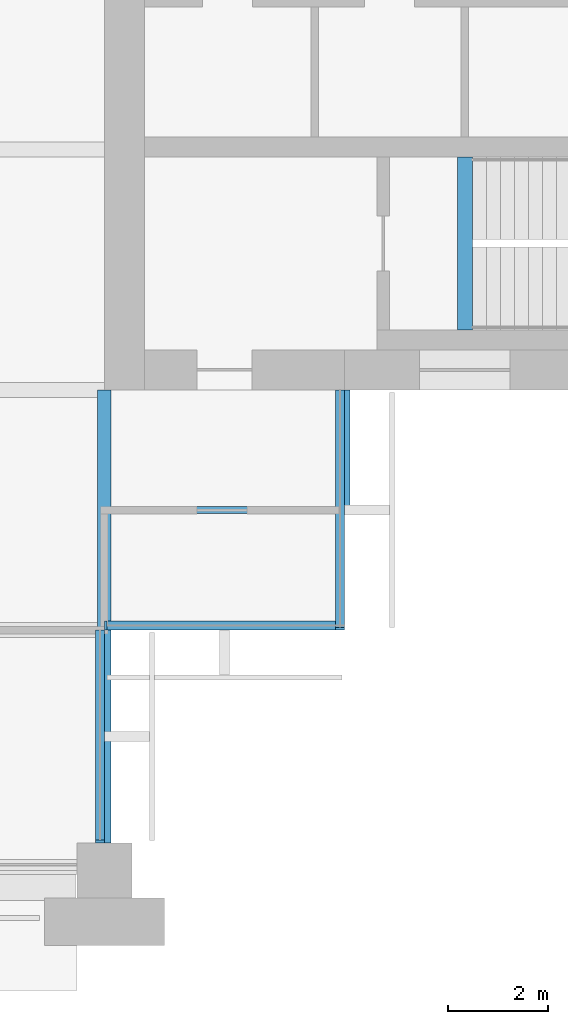
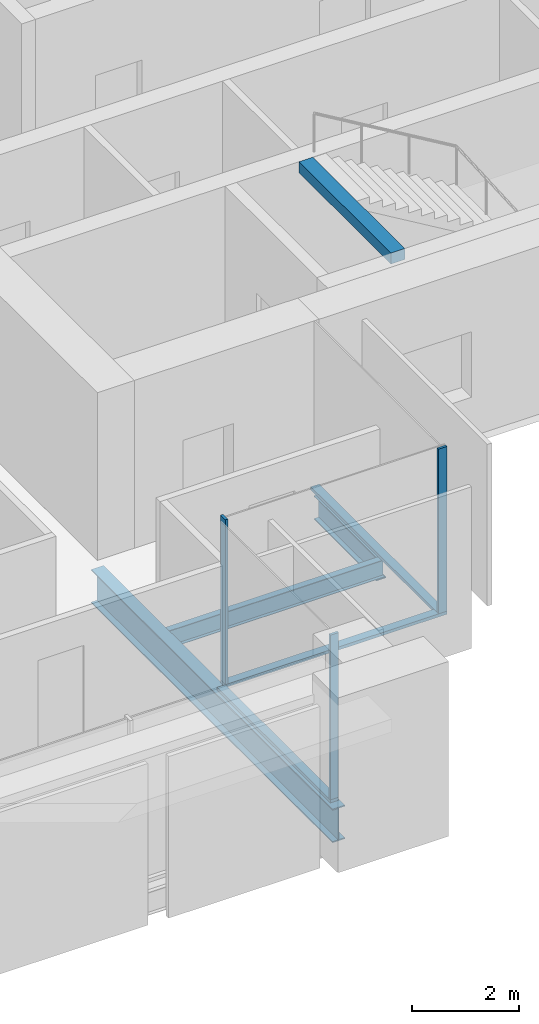
# One storey, part 4 of 14: 6 members, 4 beams, 3 elements without a shape of their own.
"""IFC4 building model written with IfcOpenShell, lengths in metres."""

import ifcopenshell
import ifcopenshell.guid

model = None  # the IFC model being written
_history = None  # IfcOwnerHistory: only IFC2X3 demands one
_inside = {}  # id of a spatial element -> (the spatial element, [elements in it])
_under = {}  # id of a project, library or spatial element -> (it, [spatial elements below it])
_declared = {}  # id of a project -> (the project, [libraries it declares])
_typed = {}  # id of a type object -> (the type object, [elements of that type])
_made_of = {}  # id of a material, layer set ... -> (it, [elements and type objects made of it])


def new_model(schema):
    """Start an empty IFC model of exactly this schema.

    Asked for "IFC4X3", IfcOpenShell would pick the latest addendum, in which some entities
    have other attributes; the version numbers below select the first issue.
    IFC2X3 requires an IfcOwnerHistory on every rooted entity: one is made here for all.
    """
    global model, _history
    if schema == "IFC4X3":
        model = ifcopenshell.file(schema_version=(4, 3, 0, 0))
    else:
        model = ifcopenshell.file(schema=schema)
    _inside.clear()
    _under.clear()
    _declared.clear()
    _typed.clear()
    _made_of.clear()
    _history = None
    if model.schema == "IFC2X3":
        org = make("IfcOrganization", Name="unknown")
        user = make(
            "IfcPersonAndOrganization",
            ThePerson=make("IfcPerson", FamilyName="unknown"),
            TheOrganization=org,
        )
        app = make(
            "IfcApplication",
            ApplicationDeveloper=org,
            Version="unknown",
            ApplicationFullName="unknown",
            ApplicationIdentifier="unknown",
        )
        _history = make(
            "IfcOwnerHistory",
            OwningUser=user,
            OwningApplication=app,
            ChangeAction="ADDED",
            CreationDate=0,
        )
    return model


def make(cls, **values):
    """One entity of the class cls with the attributes given. An attribute that is None is left unset."""
    return model.create_entity(
        cls, **{name: value for name, value in values.items() if value is not None}
    )


def rooted(cls, **values):
    """An entity with a GlobalId (a new one), such as an element, a storey or a relation."""
    return make(cls, GlobalId=ifcopenshell.guid.new(), OwnerHistory=_history, **values)


def si_unit(unit_type, name, prefix=None):
    """IfcSIUnit, for example si_unit("LENGTHUNIT", "METRE", prefix="MILLI")."""
    return make("IfcSIUnit", UnitType=unit_type, Prefix=prefix, Name=name)


def assignment(units):
    """IfcUnitAssignment: the units of a project."""
    return None if units is None else make("IfcUnitAssignment", Units=units)


def point(xyz):
    """IfcCartesianPoint."""
    return None if xyz is None else make("IfcCartesianPoint", Coordinates=xyz)


def direction(xyz):
    """IfcDirection."""
    return None if xyz is None else make("IfcDirection", DirectionRatios=xyz)


def frame(location, z_axis=None, x_axis=None):
    """IfcAxis2Placement3D, a coordinate frame: its origin and axes. An axis left out is left unset."""
    return make(
        "IfcAxis2Placement3D",
        Location=point(location),
        Axis=direction(z_axis),
        RefDirection=direction(x_axis),
    )


def frame_2d(location, x_axis=None):
    """IfcAxis2Placement2D, a coordinate frame in the plane: its origin and x axis."""
    return make(
        "IfcAxis2Placement2D", Location=point(location), RefDirection=direction(x_axis)
    )


def origin():
    """The frame at (0, 0, 0) with its axes left unset."""
    return frame((0.0, 0.0, 0.0))


def origin_2d():
    """The frame at (0, 0) in the plane with its x axis left unset."""
    return frame_2d((0.0, 0.0))


def place(relative_to, where):
    """IfcLocalPlacement: puts the frame where relative to a parent placement (None: the world)."""
    return make(
        "IfcLocalPlacement", PlacementRelTo=relative_to, RelativePlacement=where
    )


def context(
    kind, dimensions, precision=None, world=None, true_north=None, identifier=None
):
    """IfcGeometricRepresentationContext, for example the 3D "Model" context."""
    return make(
        "IfcGeometricRepresentationContext",
        ContextIdentifier=identifier,
        ContextType=kind,
        CoordinateSpaceDimension=dimensions,
        Precision=precision,
        WorldCoordinateSystem=world,
        TrueNorth=true_north,
    )


def subcontext(parent, identifier, kind, view, scale=None):
    """IfcGeometricRepresentationSubContext, for example "Body" below "Model"."""
    return make(
        "IfcGeometricRepresentationSubContext",
        ContextIdentifier=identifier,
        ContextType=kind,
        ParentContext=parent,
        TargetScale=scale,
        TargetView=view,
    )


def project(units=None, contexts=None):
    """IfcProject with its units and contexts."""
    return rooted(
        "IfcProject",
        Name="project",
        RepresentationContexts=contexts,
        UnitsInContext=assignment(units),
    )


def spatial(cls, under=None, at=None, **own):
    """A site, building, storey or space (cls), placed at a placement, below another one or the project."""
    s = rooted(cls, ObjectPlacement=at, **own)
    if under is not None:
        _under.setdefault(under.id(), (under, []))[1].append(s)
    return s


def profile(cls, at=None, kind="AREA", **sizes):
    """A parametric profile (cls). Its sizes go by their IFC names, for example OverallWidth=200.0."""
    return make(cls, ProfileType=kind, Position=at, **sizes)


def rectangle(**sizes):
    """IfcRectangleProfileDef."""
    return profile("IfcRectangleProfileDef", **sizes)


def i_section(**sizes):
    """IfcIShapeProfileDef."""
    return profile("IfcIShapeProfileDef", **sizes)


def extrude(swept, where, along, depth):
    """IfcExtrudedAreaSolid: the profile swept, set in the frame where, extruded along a direction by depth."""
    return make(
        "IfcExtrudedAreaSolid",
        SweptArea=swept,
        Position=where,
        ExtrudedDirection=direction(along),
        Depth=depth,
    )


def shape(context_of_items, identifier, shape_type, items):
    """IfcShapeRepresentation: the items that make up one representation, for example the "Body"."""
    return make(
        "IfcShapeRepresentation",
        ContextOfItems=context_of_items,
        RepresentationIdentifier=identifier,
        RepresentationType=shape_type,
        Items=items,
    )


def material(Name=None, Category=None):
    """IfcMaterial."""
    return make("IfcMaterial", Name=Name, Category=Category)


def material_profile(
    of_material, cross_section, Name=None, Category=None, Priority=None
):
    """IfcMaterialProfile: a cross section and its material."""
    return make(
        "IfcMaterialProfile",
        Name=Name,
        Material=of_material,
        Profile=cross_section,
        Priority=Priority,
        Category=Category,
    )


def profile_set(profiles, Name=None, composite=None):
    """IfcMaterialProfileSet."""
    return make(
        "IfcMaterialProfileSet",
        Name=Name,
        MaterialProfiles=profiles,
        CompositeProfile=composite,
    )


def made_of(thing, what):
    """Note that an element or type object is made of a material, layer set ...; save() writes the relation."""
    if what is not None:
        _made_of.setdefault(what.id(), (what, []))[1].append(thing)
    return thing


def type_object(cls, material=None, **own):
    """A type object (cls), such as IfcWallType, which elements share."""
    return made_of(rooted(cls, **own), material)


def element(
    cls,
    number,
    at=None,
    inside=None,
    cuts=None,
    type_object=None,
    material=None,
    context=None,
    identifier="Body",
    shape_type=None,
    held_by="IfcProductDefinitionShape",
    body=None,
    shapes=None,
    **own,
):
    """One element of the class cls, such as IfcWall. Its Tag is "e" and its number.

    at: its placement. inside: the storey or other place that contains it. cuts: it is an
    opening in that element (IfcRelVoidsElement). A single representation is given by context,
    identifier, shape_type and body (its items); several are given by shapes. held_by: the class
    of the entity that holds the representations. save() writes the other relations.
    """
    e = rooted(cls, Tag="e%d" % number, ObjectPlacement=at, **own)
    if body is not None:
        shapes = [shape(context, identifier, shape_type, body)]
    if shapes is not None:
        e.Representation = make(held_by, Representations=shapes)
    if inside is not None:
        _inside.setdefault(inside.id(), (inside, []))[1].append(e)
    if cuts is not None:
        rooted(
            "IfcRelVoidsElement", RelatingBuildingElement=cuts, RelatedOpeningElement=e
        )
    if type_object is not None:
        _typed.setdefault(type_object.id(), (type_object, []))[1].append(e)
    return made_of(e, material)


def aggregate(whole, parts):
    """IfcRelAggregates: a whole, such as a stair, and the parts it consists of."""
    return rooted("IfcRelAggregates", RelatingObject=whole, RelatedObjects=parts)


def save(model, path):
    """Write the relations noted so far, then the file.

    IfcRelAggregates (storeys below a building ...), IfcRelContainedInSpatialStructure (elements
    in a storey), IfcRelDefinesByType, IfcRelAssociatesMaterial and IfcRelDeclares: one each for
    every whole, place, type object, material and project.
    """
    for whole, parts in _under.values():
        aggregate(whole, parts)
    for where, things in _inside.values():
        rooted(
            "IfcRelContainedInSpatialStructure",
            RelatedElements=things,
            RelatingStructure=where,
        )
    for kind, things in _typed.values():
        rooted("IfcRelDefinesByType", RelatedObjects=things, RelatingType=kind)
    for what, things in _made_of.values():
        rooted("IfcRelAssociatesMaterial", RelatedObjects=things, RelatingMaterial=what)
    for by, libraries in _declared.values():
        rooted("IfcRelDeclares", RelatingContext=by, RelatedDefinitions=libraries)
    model.write(path)


model = new_model("IFC4")

# Units and contexts
model_context = context("Model", 3, precision=1e-05, world=origin(), true_north=direction((0.0, 1.0)))
body_context = subcontext(model_context, "Body", "Model", "MODEL_VIEW")
ifc_project = project(units=[si_unit("LENGTHUNIT", "METRE"), si_unit("AREAUNIT", "SQUARE_METRE"), si_unit("VOLUMEUNIT", "CUBIC_METRE"), si_unit("PLANEANGLEUNIT", "RADIAN"), si_unit("MASSUNIT", "GRAM", prefix="KILO")], contexts=[model_context])

# Site, building, storey
site_placement = place(None, origin())
site = spatial("IfcSite", under=ifc_project, at=site_placement, CompositionType="ELEMENT")
building_placement = place(site_placement, origin())
building = spatial("IfcBuilding", under=site, at=building_placement, Name="Baori Bourse Tower", CompositionType="ELEMENT")
storey_placement = place(building_placement, frame((0.0, 0.0, 257.199951171875)))
storey = spatial("IfcBuildingStorey", under=building, at=storey_placement, Name="L57", CompositionType="ELEMENT", Elevation=257.199951171875)

# Curtain wall, member
ifc_material_1 = material(Name="Pale anodised aluminium", Category="aluminium")
curtain_wall_type = type_object("IfcCurtainWallType", Name="CW2 Curtain wall", PredefinedType="NOTDEFINED", material=ifc_material_1)
curtain_wall_1_placement = place(storey_placement, origin())
curtain_wall_1 = element("IfcCurtainWall", 1, at=curtain_wall_1_placement, inside=storey, type_object=curtain_wall_type, Name="Curtain wall CW2 L57 16", PredefinedType="NOTDEFINED")
ifc_material_2 = material(Name="Pale anodised aluminium", Category="aluminium")
ifc_material_profile_1 = material_profile(ifc_material_2, rectangle(XDim=0.179931640625, YDim=0.054931640625, at=origin_2d()), Name="Mullion 55x180")
ifc_profile_set_1 = profile_set([ifc_material_profile_1], Name="Pale anodised aluminium")
member_type_1 = type_object("IfcMemberType", Name="CW2 Curtain wall mullion", PredefinedType="MULLION", material=ifc_profile_set_1)
member_1_placement = place(storey_placement, frame((38.31005859375, 0.577392578125, 0.070068359375), z_axis=(0.0, 0.0, 1.0), x_axis=(-1.0, 0.0, 0.0)))
member_1 = element("IfcMember", 2, at=member_1_placement, type_object=member_type_1, Name="Curtain wall CW2 mullion", PredefinedType="MULLION", context=body_context, shape_type="SweptSolid", body=[
    extrude(rectangle(XDim=0.179931640625, YDim=0.054931640625, at=origin_2d()), origin(), (0.0, 0.0, 1.0), 3.77001953125),
])

curtain_wall_2_placement = place(storey_placement, origin())
curtain_wall_2 = element("IfcCurtainWall", 3, at=curtain_wall_2_placement, inside=storey, type_object=curtain_wall_type, Name="Curtain wall CW2 L57 17", PredefinedType="NOTDEFINED")
member_2_placement = place(storey_placement, frame((38.427490234375, 4.889892578125, 0.070068359375), z_axis=(0.0, 0.0, 1.0), x_axis=(0.0, 1.0, 0.0)))
member_2 = element("IfcMember", 4, at=member_2_placement, type_object=member_type_1, Name="Curtain wall CW2 mullion", PredefinedType="MULLION", context=body_context, shape_type="SweptSolid", body=[
    extrude(rectangle(XDim=0.179931640625, YDim=0.054931640625, at=origin_2d()), origin(), (0.0, 0.0, 1.0), 3.77001953125),
])

curtain_wall_3_placement = place(storey_placement, origin())
curtain_wall_3 = element("IfcCurtainWall", 5, at=curtain_wall_3_placement, inside=storey, type_object=curtain_wall_type, Name="Curtain wall CW2 L57 18", PredefinedType="NOTDEFINED")
member_3_placement = place(storey_placement, frame((43.110107421875, 4.827392578125, 0.070068359375), z_axis=(0.0, 0.0, 1.0), x_axis=(-1.0, 0.0, 0.0)))
member_3 = element("IfcMember", 6, at=member_3_placement, type_object=member_type_1, Name="Curtain wall CW2 mullion", PredefinedType="MULLION", context=body_context, shape_type="SweptSolid", body=[
    extrude(rectangle(XDim=0.179931640625, YDim=0.054931640625, at=origin_2d()), origin(), (0.0, 0.0, 1.0), 3.77001953125),
])

# Member
ifc_material_3 = material(Name="Pale anodised aluminium", Category="aluminium")
ifc_material_profile_2 = material_profile(ifc_material_3, rectangle(XDim=0.179931640625, YDim=0.070068359375, at=origin_2d()), Name="Transom 70x180")
ifc_profile_set_2 = profile_set([ifc_material_profile_2], Name="Pale anodised aluminium")
member_type_2 = type_object("IfcMemberType", Name="CW2 Curtain wall transom", PredefinedType="USERDEFINED", material=ifc_profile_set_2)
member_4_placement = place(storey_placement, frame((38.31005859375, 0.550048828125, 0.03515625), z_axis=(0.0, 1.0, 0.0), x_axis=(-1.0, 0.0, 0.0)))
member_4 = element("IfcMember", 7, at=member_4_placement, type_object=member_type_2, Name="Curtain wall CW2 sill rail", ObjectType="TRANSOM", PredefinedType="USERDEFINED", context=body_context, shape_type="SweptSolid", body=[
    extrude(rectangle(XDim=0.179931640625, YDim=0.070068359375, at=origin_2d()), origin(), (0.0, 0.0, 1.0), 4.25),
])

aggregate(curtain_wall_1, [member_4, member_1])

member_5_placement = place(storey_placement, frame((38.39990234375, 4.889892578125, 0.03515625), z_axis=(1.0, 0.0, 0.0), x_axis=(0.0, 1.0, 0.0)))
member_5 = element("IfcMember", 8, at=member_5_placement, type_object=member_type_2, Name="Curtain wall CW2 sill rail", ObjectType="TRANSOM", PredefinedType="USERDEFINED", context=body_context, shape_type="SweptSolid", body=[
    extrude(rectangle(XDim=0.179931640625, YDim=0.070068359375, at=origin_2d()), origin(), (0.0, 0.0, 1.0), 4.800048828125),
])

aggregate(curtain_wall_2, [member_5, member_2])

member_6_placement = place(storey_placement, frame((43.110107421875, 4.800048828125, 0.03515625), z_axis=(0.0, 1.0, 0.0), x_axis=(-1.0, 0.0, 0.0)))
member_6 = element("IfcMember", 9, at=member_6_placement, type_object=member_type_2, Name="Curtain wall CW2 sill rail", ObjectType="TRANSOM", PredefinedType="USERDEFINED", context=body_context, shape_type="SweptSolid", body=[
    extrude(rectangle(XDim=0.179931640625, YDim=0.070068359375, at=origin_2d()), origin(), (0.0, 0.0, 1.0), 4.800048828125),
])

aggregate(curtain_wall_3, [member_6, member_3])

# Beams
ifc_material_4 = material(Name="Steel A992 Gr 50", Category="steel")
ifc_material_profile_3 = material_profile(ifc_material_4, i_section(OverallWidth=0.21240234375, OverallDepth=0.54345703125, WebThickness=0.01318359375, FlangeThickness=0.021240234375, at=origin_2d()), Name="W21x83")
ifc_profile_set_3 = profile_set([ifc_material_profile_3], Name="Steel A992 Gr 50")
beam_type_1 = type_object("IfcBeamType", Name="Core bracket W21x83", PredefinedType="BEAM", material=ifc_profile_set_3)
beam_1_placement = place(storey_placement, frame((43.199951171875, 7.270263671875, -0.431640625), z_axis=(0.0, 1.0, 0.0), x_axis=(-1.0, 0.0, 0.0)))
element("IfcBeam", 10, at=beam_1_placement, inside=storey, type_object=beam_type_1, Name="Core bracket L57", PredefinedType="BEAM", context=body_context, shape_type="SweptSolid", body=[
    extrude(i_section(OverallWidth=0.21240234375, OverallDepth=0.54345703125, WebThickness=0.01318359375, FlangeThickness=0.021240234375, at=origin_2d()), origin(), (0.0, 0.0, 1.0), 2.329833984375),
])
ifc_material_5 = material(Name="Steel A992 Gr 50", Category="steel")
ifc_material_profile_4 = material_profile(ifc_material_5, i_section(OverallWidth=0.2666015625, OverallDepth=0.76953125, WebThickness=0.015625, FlangeThickness=0.025390625, at=origin_2d()), Name="W30x132")
ifc_profile_set_4 = profile_set([ifc_material_profile_4], Name="Steel A992 Gr 50")
beam_type_2 = type_object("IfcBeamType", Name="Girder W30x132", PredefinedType="BEAM", material=ifc_profile_set_4)
beam_2_placement = place(storey_placement, frame((38.39990234375, 0.550048828125, -0.544677734375), z_axis=(0.0, 1.0, 0.0), x_axis=(-1.0, 0.0, 0.0)))
element("IfcBeam", 11, at=beam_2_placement, inside=storey, type_object=beam_type_2, Name="Girder L57", PredefinedType="BEAM", context=body_context, shape_type="SweptSolid", body=[
    extrude(i_section(OverallWidth=0.2666015625, OverallDepth=0.76953125, WebThickness=0.015625, FlangeThickness=0.025390625, at=origin_2d()), origin(), (0.0, 0.0, 1.0), 9.050048828125),
])
ifc_material_6 = material(Name="Concrete f'c 50 MPa", Category="concrete")
ifc_material_profile_5 = material_profile(ifc_material_6, rectangle(XDim=0.300048828125, YDim=0.25, at=origin_2d()), Name="RC 300x250")
ifc_profile_set_5 = profile_set([ifc_material_profile_5], Name="Concrete f'c 50 MPa")
beam_type_3 = type_object("IfcBeamType", Name="Stair nib beam RC 300x250", PredefinedType="BEAM", material=ifc_profile_set_5)
beam_3_placement = place(storey_placement, frame((45.60009765625, 10.800048828125, 3.715087890625), z_axis=(0.0, 1.0, 0.0), x_axis=(-1.0, 0.0, 0.0)))
element("IfcBeam", 12, at=beam_3_placement, inside=storey, type_object=beam_type_3, Name="Stair EA nib beam L58", PredefinedType="BEAM", context=body_context, shape_type="SweptSolid", body=[
    extrude(rectangle(XDim=0.300048828125, YDim=0.25, at=origin_2d()), origin(), (0.0, 0.0, 1.0), 3.449951171875),
])
ifc_material_7 = material(Name="Steel A992 Gr 50", Category="steel")
ifc_material_profile_6 = material_profile(ifc_material_7, i_section(OverallWidth=0.140380859375, OverallDepth=0.40380859375, WebThickness=0.007080078125, FlangeThickness=0.01123046875, at=origin_2d()), Name="W16x31")
ifc_profile_set_6 = profile_set([ifc_material_profile_6], Name="Steel A992 Gr 50")
beam_type_4 = type_object("IfcBeamType", Name="Trimmer beam W16x31", PredefinedType="BEAM", material=ifc_profile_set_6)
beam_4_placement = place(storey_placement, frame((38.533447265625, 7.199951171875, -0.36181640625), z_axis=(1.0, 0.0, 0.0), x_axis=(0.0, 1.0, 0.0)))
element("IfcBeam", 13, at=beam_4_placement, inside=storey, type_object=beam_type_4, Name="Trimmer beam L57", PredefinedType="BEAM", context=body_context, shape_type="SweptSolid", body=[
    extrude(i_section(OverallWidth=0.140380859375, OverallDepth=0.40380859375, WebThickness=0.007080078125, FlangeThickness=0.01123046875, at=origin_2d()), origin(), (0.0, 0.0, 1.0), 4.66650390625),
])

save(model, "model.ifc")
